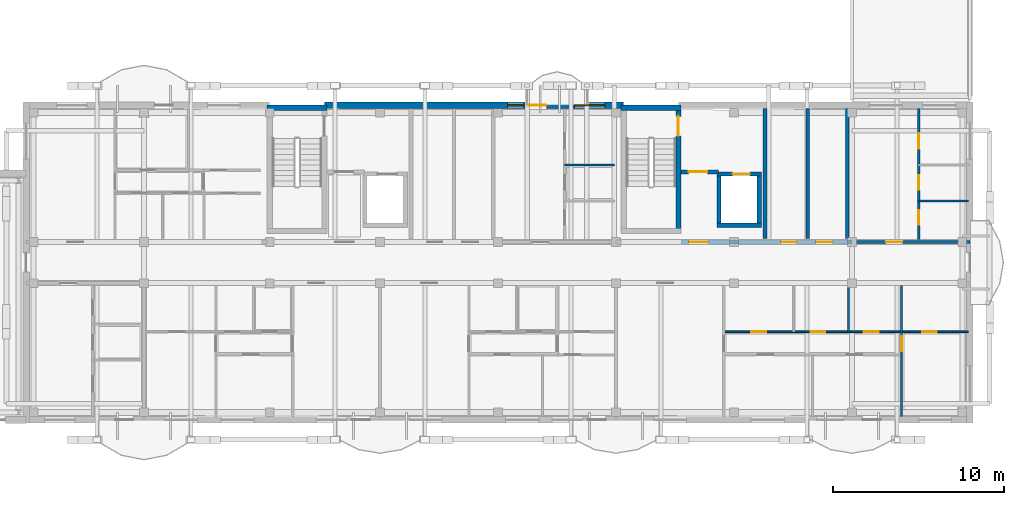
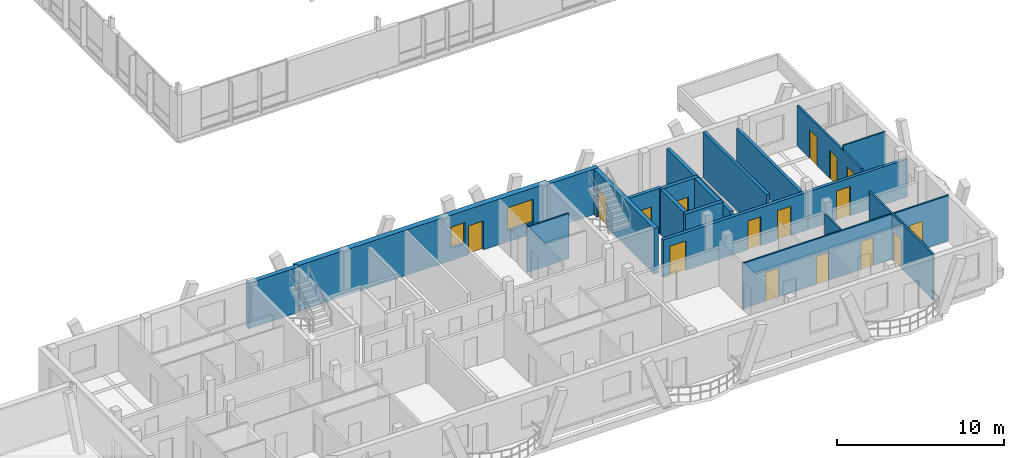
# One storey, part 161 of 189: 20 walls, 16 doors, 2 windows, 18 openings.
"""IFC4 building model written with IfcOpenShell, lengths in metres."""

from ifc_helpers import new_model, si_unit, direction, frame, frame_2d, origin, origin_with_axes, place, context, subcontext, project, spatial, rectangle, extrude, material, layer, layer_set, type_object, element, fill, save


model = new_model("IFC4")

# Units and contexts
model_context = context("Model", 3, precision=1e-05, world=origin(), true_north=direction((0.0, 1.0)))
body_context = subcontext(model_context, "Body", "Model", "MODEL_VIEW")
ifc_project = project(units=[si_unit("LENGTHUNIT", "METRE"), si_unit("AREAUNIT", "SQUARE_METRE"), si_unit("VOLUMEUNIT", "CUBIC_METRE"), si_unit("PLANEANGLEUNIT", "RADIAN"), si_unit("MASSUNIT", "GRAM", prefix="KILO")], contexts=[model_context])

# Site, building, storey
site_placement = place(None, origin())
site = spatial("IfcSite", under=ifc_project, at=site_placement, CompositionType="ELEMENT")
building_placement = place(site_placement, origin())
building = spatial("IfcBuilding", under=site, at=building_placement, Name="Zavelmont Quarter", CompositionType="ELEMENT")
storey_placement = place(building_placement, frame((0.0, 0.0, 4.39990234375)))
storey = spatial("IfcBuildingStorey", under=building, at=storey_placement, Name="L01", CompositionType="ELEMENT", Elevation=4.39990234375)

# Wall, openings, door, windows
ifc_material_1 = material(Name="Natural Belgian limestone", Category="masonry")
ifc_layer_1 = layer(ifc_material_1, 0.3798828125)
ifc_layer_set_1 = layer_set([ifc_layer_1], Name="Natural Belgian limestone")
wall_type_1 = type_object("IfcWallType", Name="EW01", PredefinedType="STANDARD", material=ifc_layer_set_1)
wall_1_placement = place(storey_placement, frame((130.25, 18.39990234375, 0.0), z_axis=(0.0, 0.0, 1.0), x_axis=(1.0, 0.0, 0.0)))
wall_1 = element("IfcWall", 1, at=wall_1_placement, inside=storey, type_object=wall_type_1, Name="L01 exterior limestone wall EW01", PredefinedType="STANDARD", context=body_context, shape_type="SweptSolid", body=[
    extrude(rectangle(XDim=17.5, YDim=0.3798828125, at=frame_2d((8.75, 0.0))), origin(), (0.0, 0.0, 1.0), 3.330078125),
])
opening_1_placement = place(wall_1_placement, frame((11.922607421875, 0.0, 0.0)))
opening_1 = element("IfcOpeningElement", 2, at=opening_1_placement, cuts=wall_1, Name="Opening DR04A", PredefinedType="OPENING", context=body_context, shape_type="SweptSolid", body=[
    extrude(rectangle(XDim=1.050048828125, YDim=2.1201171875, at=frame_2d((0.52490234375, 1.06005859375))), frame((0.0, 0.201904296875, 0.0), z_axis=(0.0, -1.0, 0.0), x_axis=(1.0, 0.0, 0.0)), (0.0, 0.0, 1.0), 0.40380859375),
])
opening_2_placement = place(wall_1_placement, frame((10.719970703125, 0.0, 0.89990234375)))
opening_2 = element("IfcOpeningElement", 3, at=opening_2_placement, cuts=wall_1, Name="Opening WN04", PredefinedType="OPENING", context=body_context, shape_type="SweptSolid", body=[
    extrude(rectangle(XDim=0.949951171875, YDim=1.550048828125, at=frame_2d((0.47509765625, 0.77490234375))), frame((0.0, 0.201904296875, 0.0), z_axis=(0.0, -1.0, 0.0), x_axis=(1.0, 0.0, 0.0)), (0.0, 0.0, 1.0), 0.40380859375),
])
opening_3_placement = place(wall_1_placement, frame((14.6201171875, 0.0, 0.800048828125)))
opening_3 = element("IfcOpeningElement", 4, at=opening_3_placement, cuts=wall_1, Name="Opening WN02", PredefinedType="OPENING", context=body_context, shape_type="SweptSolid", body=[
    extrude(rectangle(XDim=1.800048828125, YDim=1.699951171875, at=frame_2d((0.89990234375, 0.85009765625))), frame((0.0, 0.201904296875, 0.0), z_axis=(0.0, -1.0, 0.0), x_axis=(1.0, 0.0, 0.0)), (0.0, 0.0, 1.0), 0.40380859375),
])
ifc_material_2 = material(Name="Thermally broken aluminium and double safety glass", Category="aluminium")
door_type_1 = type_object("IfcDoorType", Name="DR04A", OperationType="NOTDEFINED", PredefinedType="DOOR", material=ifc_material_2)
door_1_placement = place(opening_1_placement, frame((1.050048828125, 0.0, 0.0), z_axis=(0.0, 0.0, 1.0), x_axis=(-1.0, 0.0, 0.0)))
door_1 = element("IfcDoor", 5, at=door_1_placement, inside=storey, type_object=door_type_1, Name="Block D L01 glazed balcony door", OperationType="SINGLE_SWING_LEFT", OverallHeight=2.1201171875, OverallWidth=1.050048828125, PredefinedType="DOOR", context=body_context, shape_type="SweptSolid", body=[
    extrude(rectangle(XDim=1.050048828125, YDim=2.1201171875, at=frame_2d((0.52490234375, 1.06005859375))), frame((0.0, 0.02490234375, 0.0), z_axis=(0.0, -1.0, 0.0), x_axis=(1.0, 0.0, 0.0)), (0.0, 0.0, 1.0), 0.050048828125),
])
fill(opening_1, door_1)
ifc_material_3 = material(Name="Double low-E insulated glazing in thermally broken aluminium frame", Category="aluminium")
window_type_1 = type_object("IfcWindowType", Name="WN02", PartitioningType="SINGLE_PANEL", PredefinedType="WINDOW", material=ifc_material_3)
window_1_placement = place(opening_3_placement, origin_with_axes())
window_1 = element("IfcWindow", 6, at=window_1_placement, inside=storey, type_object=window_type_1, Name="L01 window WN02", OverallHeight=1.699951171875, OverallWidth=1.800048828125, PartitioningType="SINGLE_PANEL", PredefinedType="WINDOW", context=body_context, shape_type="SweptSolid", body=[
    extrude(rectangle(XDim=1.800048828125, YDim=1.699951171875, at=frame_2d((0.89990234375, 0.85009765625))), frame((0.0, 0.030029296875, 0.0), z_axis=(0.0, -1.0, 0.0), x_axis=(1.0, 0.0, 0.0)), (0.0, 0.0, 1.0), 0.06005859375),
])
fill(opening_3, window_1)
window_type_2 = type_object("IfcWindowType", Name="WN04", PartitioningType="SINGLE_PANEL", PredefinedType="WINDOW", material=ifc_material_3)
window_2_placement = place(opening_2_placement, origin_with_axes())
window_2 = element("IfcWindow", 7, at=window_2_placement, inside=storey, type_object=window_type_2, Name="L01 window WN04", OverallHeight=1.550048828125, OverallWidth=0.949951171875, PartitioningType="SINGLE_PANEL", PredefinedType="WINDOW", context=body_context, shape_type="SweptSolid", body=[
    extrude(rectangle(XDim=0.949951171875, YDim=1.550048828125, at=frame_2d((0.47509765625, 0.77490234375))), frame((0.0, 0.030029296875, 0.0), z_axis=(0.0, -1.0, 0.0), x_axis=(1.0, 0.0, 0.0)), (0.0, 0.0, 1.0), 0.06005859375),
])
fill(opening_2, window_2)

# Walls
ifc_material_4 = material(Name="Calcium-silicate blockwork and acoustic plaster", Category="masonry")
ifc_layer_2 = layer(ifc_material_4, 0.199951171875)
ifc_layer_set_2 = layer_set([ifc_layer_2], Name="Calcium-silicate blockwork and acoustic plaster")
wall_type_2 = type_object("IfcWallType", Name="IW01", PredefinedType="PARTITIONING", material=ifc_layer_set_2)
wall_2_placement = place(storey_placement, frame((158.52490234375, 10.60009765625, 0.0), z_axis=(0.0, 0.0, 1.0), x_axis=(0.0, 1.0, 0.0)))
element("IfcWall", 8, at=wall_2_placement, inside=storey, type_object=wall_type_2, Name="L01 Service riser divider wall IW01", PredefinedType="PARTITIONING", context=body_context, shape_type="SweptSolid", body=[
    extrude(rectangle(XDim=7.599853515625, YDim=0.199951171875, at=frame_2d((3.7998046875, 0.0))), origin(), (0.0, 0.0, 1.0), 3.330078125),
])
wall_3_placement = place(storey_placement, frame((160.820068359375, 10.60009765625, 0.0), z_axis=(0.0, 0.0, 1.0), x_axis=(0.0, 1.0, 0.0)))
element("IfcWall", 9, at=wall_3_placement, inside=storey, type_object=wall_type_2, Name="L01 Core service end wall IW01", PredefinedType="PARTITIONING", context=body_context, shape_type="SweptSolid", body=[
    extrude(rectangle(XDim=7.599853515625, YDim=0.199951171875, at=frame_2d((3.7998046875, 0.0))), origin(), (0.0, 0.0, 1.0), 2.77001953125),
])

# Wall, opening, door
wall_4_placement = place(storey_placement, frame((161.10009765625, 10.39990234375, 0.0), z_axis=(0.0, 0.0, 1.0), x_axis=(1.0, 0.0, 0.0)))
wall_4 = element("IfcWall", 10, at=wall_4_placement, inside=storey, type_object=wall_type_2, Name="L01 Corridor compartment wall IW01", PredefinedType="PARTITIONING", context=body_context, shape_type="SweptSolid", body=[
    extrude(rectangle(XDim=6.89990234375, YDim=0.199951171875, at=frame_2d((3.449951171875, 0.0))), origin(), (0.0, 0.0, 1.0), 2.77001953125),
])
opening_4_placement = place(wall_4_placement, frame((2.0, 0.0, 0.0)))
opening_4 = element("IfcOpeningElement", 11, at=opening_4_placement, cuts=wall_4, Name="Opening DR02", PredefinedType="OPENING", context=body_context, shape_type="SweptSolid", body=[
    extrude(rectangle(XDim=0.949951171875, YDim=2.14990234375, at=frame_2d((0.47509765625, 1.074951171875))), frame((0.0, 0.11181640625, 0.0), z_axis=(0.0, -1.0, 0.0), x_axis=(1.0, 0.0, 0.0)), (0.0, 0.0, 1.0), 0.223876953125),
])
ifc_material_5 = material(Name="Solid-core oak fire leaf in steel frame", Category="steel")
door_type_2 = type_object("IfcDoorType", Name="DR02", OperationType="NOTDEFINED", PredefinedType="DOOR", material=ifc_material_5)
door_2_placement = place(opening_4_placement, origin_with_axes())
door_2 = element("IfcDoor", 12, at=door_2_placement, inside=storey, type_object=door_type_2, Name="L01 door DR02", OperationType="SINGLE_SWING_LEFT", OverallHeight=2.14990234375, OverallWidth=0.949951171875, PredefinedType="DOOR", context=body_context, shape_type="SweptSolid", body=[
    extrude(rectangle(XDim=0.949951171875, YDim=2.14990234375, at=frame_2d((0.47509765625, 1.074951171875))), frame((0.0, 0.02490234375, 0.0), z_axis=(0.0, -1.0, 0.0), x_axis=(1.0, 0.0, 0.0)), (0.0, 0.0, 1.0), 0.050048828125),
])
fill(opening_4, door_2)

# Wall
ifc_material_6 = material(Name="Reinforced masonry fire compartment wall", Category="masonry")
ifc_layer_3 = layer(ifc_material_6, 0.22509765625)
ifc_layer_set_3 = layer_set([ifc_layer_3], Name="Reinforced masonry fire compartment wall")
wall_type_3 = type_object("IfcWallType", Name="IW02", PredefinedType="PARTITIONING", material=ifc_layer_set_3)
wall_5_placement = place(storey_placement, frame((156.010009765625, 10.60009765625, 0.0), z_axis=(0.0, 0.0, 1.0), x_axis=(0.0, 1.0, 0.0)))
element("IfcWall", 13, at=wall_5_placement, inside=storey, type_object=wall_type_3, Name="L01 Firefighting lobby enclosure wall IW02", PredefinedType="PARTITIONING", context=body_context, shape_type="SweptSolid", body=[
    extrude(rectangle(XDim=7.599853515625, YDim=0.22509765625, at=frame_2d((3.7998046875, 0.0))), origin(), (0.0, 0.0, 1.0), 2.989990234375),
])

# Wall, opening, door
wall_6_placement = place(storey_placement, frame((151.10009765625, 14.5, 0.0), z_axis=(0.0, 0.0, 1.0), x_axis=(1.0, 0.0, 0.0)))
wall_6 = element("IfcWall", 14, at=wall_6_placement, inside=storey, type_object=wall_type_3, Name="L01 Firefighting lobby threshold wall IW02", PredefinedType="PARTITIONING", context=body_context, shape_type="SweptSolid", body=[
    extrude(rectangle(XDim=2.199951171875, YDim=0.22509765625, at=frame_2d((1.10009765625, 0.0))), origin(), (0.0, 0.0, 1.0), 3.330078125),
])
opening_5_placement = place(wall_6_placement, frame((0.449951171875, 0.0, 0.0)))
opening_5 = element("IfcOpeningElement", 15, at=opening_5_placement, cuts=wall_6, Name="Opening DR10", PredefinedType="OPENING", context=body_context, shape_type="SweptSolid", body=[
    extrude(rectangle(XDim=1.10009765625, YDim=2.14990234375, at=frame_2d((0.550048828125, 1.074951171875))), frame((0.0, 0.12451171875, 0.0), z_axis=(0.0, -1.0, 0.0), x_axis=(1.0, 0.0, 0.0)), (0.0, 0.0, 1.0), 0.2490234375),
])
ifc_material_7 = material(Name="Painted steel lobby fire door", Category="steel")
door_type_3 = type_object("IfcDoorType", Name="DR10", OperationType="NOTDEFINED", PredefinedType="DOOR", material=ifc_material_7)
door_3_placement = place(opening_5_placement, origin_with_axes())
door_3 = element("IfcDoor", 16, at=door_3_placement, inside=storey, type_object=door_type_3, Name="Firefighting lobby fire door", OperationType="SINGLE_SWING_RIGHT", OverallHeight=2.14990234375, OverallWidth=1.10009765625, PredefinedType="DOOR", context=body_context, shape_type="SweptSolid", body=[
    extrude(rectangle(XDim=1.10009765625, YDim=2.14990234375, at=frame_2d((0.550048828125, 1.074951171875))), frame((0.0, 0.02490234375, 0.0), z_axis=(0.0, -1.0, 0.0), x_axis=(1.0, 0.0, 0.0)), (0.0, 0.0, 1.0), 0.050048828125),
])
fill(opening_5, door_3)

# Wall, openings, doors
wall_7_placement = place(storey_placement, frame((151.10009765625, 10.39990234375, 0.0), z_axis=(0.0, 0.0, 1.0), x_axis=(1.0, 0.0, 0.0)))
wall_7 = element("IfcWall", 17, at=wall_7_placement, inside=storey, type_object=wall_type_3, Name="L01 Core corridor fire wall IW02", PredefinedType="PARTITIONING", context=body_context, shape_type="SweptSolid", body=[
    extrude(rectangle(XDim=10.0, YDim=0.22509765625, at=frame_2d((5.0, 0.0))), origin(), (0.0, 0.0, 1.0), 2.77001953125),
])
opening_6_placement = place(wall_7_placement, frame((0.47509765625, 0.0, 0.0)))
opening_6 = element("IfcOpeningElement", 18, at=opening_6_placement, cuts=wall_7, Name="Opening DR10", PredefinedType="OPENING", context=body_context, shape_type="SweptSolid", body=[
    extrude(rectangle(XDim=1.10009765625, YDim=2.14990234375, at=frame_2d((0.550048828125, 1.074951171875))), frame((0.0, 0.12451171875, 0.0), z_axis=(0.0, -1.0, 0.0), x_axis=(1.0, 0.0, 0.0)), (0.0, 0.0, 1.0), 0.2490234375),
])
opening_7_placement = place(wall_7_placement, frame((5.85009765625, 0.0, 0.0)))
opening_7 = element("IfcOpeningElement", 19, at=opening_7_placement, cuts=wall_7, Name="Opening DR11", PredefinedType="OPENING", context=body_context, shape_type="SweptSolid", body=[
    extrude(rectangle(XDim=0.89990234375, YDim=2.10009765625, at=frame_2d((0.449951171875, 1.050048828125))), frame((0.0, 0.12451171875, 0.0), z_axis=(0.0, -1.0, 0.0), x_axis=(1.0, 0.0, 0.0)), (0.0, 0.0, 1.0), 0.2490234375),
])
opening_8_placement = place(wall_7_placement, frame((7.89990234375, 0.0, 0.0)))
opening_8 = element("IfcOpeningElement", 20, at=opening_8_placement, cuts=wall_7, Name="Opening DR02", PredefinedType="OPENING", context=body_context, shape_type="SweptSolid", body=[
    extrude(rectangle(XDim=0.949951171875, YDim=2.14990234375, at=frame_2d((0.47509765625, 1.074951171875))), frame((0.0, 0.12451171875, 0.0), z_axis=(0.0, -1.0, 0.0), x_axis=(1.0, 0.0, 0.0)), (0.0, 0.0, 1.0), 0.2490234375),
])
door_4_placement = place(opening_8_placement, frame((0.949951171875, 0.0, 0.0), z_axis=(0.0, 0.0, 1.0), x_axis=(-1.0, 0.0, 0.0)))
door_4 = element("IfcDoor", 21, at=door_4_placement, inside=storey, type_object=door_type_2, Name="Auxiliary store corridor door", OperationType="SINGLE_SWING_RIGHT", OverallHeight=2.14990234375, OverallWidth=0.949951171875, PredefinedType="DOOR", context=body_context, shape_type="SweptSolid", body=[
    extrude(rectangle(XDim=0.949951171875, YDim=2.14990234375, at=frame_2d((0.47509765625, 1.074951171875))), frame((0.0, 0.02490234375, 0.0), z_axis=(0.0, -1.0, 0.0), x_axis=(1.0, 0.0, 0.0)), (0.0, 0.0, 1.0), 0.050048828125),
])
fill(opening_8, door_4)
door_5_placement = place(opening_6_placement, origin_with_axes())
door_5 = element("IfcDoor", 22, at=door_5_placement, inside=storey, type_object=door_type_3, Name="Core vestibule fire door", OperationType="SINGLE_SWING_LEFT", OverallHeight=2.14990234375, OverallWidth=1.10009765625, PredefinedType="DOOR", context=body_context, shape_type="SweptSolid", body=[
    extrude(rectangle(XDim=1.10009765625, YDim=2.14990234375, at=frame_2d((0.550048828125, 1.074951171875))), frame((0.0, 0.02490234375, 0.0), z_axis=(0.0, -1.0, 0.0), x_axis=(1.0, 0.0, 0.0)), (0.0, 0.0, 1.0), 0.050048828125),
])
fill(opening_6, door_5)
ifc_material_8 = material(Name="Painted steel service-riser fire door", Category="steel")
door_type_4 = type_object("IfcDoorType", Name="DR11", OperationType="NOTDEFINED", PredefinedType="DOOR", material=ifc_material_8)
door_6_placement = place(opening_7_placement, frame((0.89990234375, 0.0, 0.0), z_axis=(0.0, 0.0, 1.0), x_axis=(-1.0, 0.0, 0.0)))
door_6 = element("IfcDoor", 23, at=door_6_placement, inside=storey, type_object=door_type_4, Name="Service riser fire door", OperationType="SINGLE_SWING_LEFT", OverallHeight=2.10009765625, OverallWidth=0.89990234375, PredefinedType="DOOR", context=body_context, shape_type="SweptSolid", body=[
    extrude(rectangle(XDim=0.89990234375, YDim=2.10009765625, at=frame_2d((0.449951171875, 1.050048828125))), frame((0.0, 0.02490234375, 0.0), z_axis=(0.0, -1.0, 0.0), x_axis=(1.0, 0.0, 0.0)), (0.0, 0.0, 1.0), 0.050048828125),
])
fill(opening_7, door_6)

# Wall, opening, door
ifc_material_9 = material(Name="Double gypsum board on acoustic steel stud", Category="steel")
ifc_layer_4 = layer(ifc_material_9, 0.125)
ifc_layer_set_4 = layer_set([ifc_layer_4], Name="Double gypsum board on acoustic steel stud")
wall_type_4 = type_object("IfcWallType", Name="IW03", PredefinedType="PARTITIONING", material=ifc_layer_set_4)
wall_8_placement = place(storey_placement, frame((164.0, 7.85009765625, 0.0), z_axis=(0.0, 0.0, 1.0), x_axis=(0.0, -1.0, 0.0)))
wall_8 = element("IfcWall", 24, at=wall_8_placement, inside=storey, type_object=wall_type_4, Name="L01 Partition IW03", PredefinedType="PARTITIONING", context=body_context, shape_type="SweptSolid", body=[
    extrude(rectangle(XDim=7.650146484375, YDim=0.125, at=frame_2d((3.8251953125, 0.0))), origin(), (0.0, 0.0, 1.0), 3.330078125),
])
opening_9_placement = place(wall_8_placement, frame((2.949951171875, 0.0, 0.0)))
opening_9 = element("IfcOpeningElement", 25, at=opening_9_placement, cuts=wall_8, Name="Opening DR05", PredefinedType="OPENING", context=body_context, shape_type="SweptSolid", body=[
    extrude(rectangle(XDim=0.89990234375, YDim=2.10009765625, at=frame_2d((0.449951171875, 1.050048828125))), frame((0.0, 0.074462890625, 0.0), z_axis=(0.0, -1.0, 0.0), x_axis=(1.0, 0.0, 0.0)), (0.0, 0.0, 1.0), 0.14892578125),
])
ifc_material_10 = material(Name="Engineered oak flush interior door")
door_type_5 = type_object("IfcDoorType", Name="DR05", OperationType="NOTDEFINED", PredefinedType="DOOR", material=ifc_material_10)
door_7_placement = place(opening_9_placement, frame((0.89990234375, 0.0, 0.0), z_axis=(0.0, 0.0, 1.0), x_axis=(-1.0, 0.0, 0.0)))
door_7 = element("IfcDoor", 26, at=door_7_placement, inside=storey, type_object=door_type_5, Name="L01 door DR05", OperationType="SINGLE_SWING_RIGHT", OverallHeight=2.10009765625, OverallWidth=0.89990234375, PredefinedType="DOOR", context=body_context, shape_type="SweptSolid", body=[
    extrude(rectangle(XDim=0.89990234375, YDim=2.10009765625, at=frame_2d((0.449951171875, 1.050048828125))), frame((0.0, 0.02490234375, 0.0), z_axis=(0.0, -1.0, 0.0), x_axis=(1.0, 0.0, 0.0)), (0.0, 0.0, 1.0), 0.050048828125),
])
fill(opening_9, door_7)

# Wall, openings, doors
wall_9_placement = place(storey_placement, frame((165.0, 10.550048828125, 0.0), z_axis=(0.0, 0.0, 1.0), x_axis=(0.0, 1.0, 0.0)))
wall_9 = element("IfcWall", 27, at=wall_9_placement, inside=storey, type_object=wall_type_4, Name="L01 Partition IW03", PredefinedType="PARTITIONING", context=body_context, shape_type="SweptSolid", body=[
    extrude(rectangle(XDim=7.64990234375, YDim=0.125, at=frame_2d((3.824951171875, 0.0))), origin(), (0.0, 0.0, 1.0), 2.989990234375),
])
opening_10_placement = place(wall_9_placement, frame((0.85009765625, 0.0, 0.0)))
opening_10 = element("IfcOpeningElement", 28, at=opening_10_placement, cuts=wall_9, Name="Opening DR16", PredefinedType="OPENING", context=body_context, shape_type="SweptSolid", body=[
    extrude(rectangle(XDim=0.85009765625, YDim=2.10009765625, at=frame_2d((0.425048828125, 1.050048828125))), frame((0.0, 0.074462890625, 0.0), z_axis=(0.0, -1.0, 0.0), x_axis=(1.0, 0.0, 0.0)), (0.0, 0.0, 1.0), 0.14892578125),
])
opening_11_placement = place(wall_9_placement, frame((2.89990234375, 0.0, 0.0)))
opening_11 = element("IfcOpeningElement", 29, at=opening_11_placement, cuts=wall_9, Name="Opening DR06", PredefinedType="OPENING", context=body_context, shape_type="SweptSolid", body=[
    extrude(rectangle(XDim=0.85009765625, YDim=2.050048828125, at=frame_2d((0.425048828125, 1.02490234375))), frame((0.0, 0.074462890625, 0.0), z_axis=(0.0, -1.0, 0.0), x_axis=(1.0, 0.0, 0.0)), (0.0, 0.0, 1.0), 0.14892578125),
])
opening_12_placement = place(wall_9_placement, frame((5.300048828125, 0.0, 0.0)))
opening_12 = element("IfcOpeningElement", 30, at=opening_12_placement, cuts=wall_9, Name="Opening DR05", PredefinedType="OPENING", context=body_context, shape_type="SweptSolid", body=[
    extrude(rectangle(XDim=0.89990234375, YDim=2.10009765625, at=frame_2d((0.449951171875, 1.050048828125))), frame((0.0, 0.074462890625, 0.0), z_axis=(0.0, -1.0, 0.0), x_axis=(1.0, 0.0, 0.0)), (0.0, 0.0, 1.0), 0.14892578125),
])
door_8_placement = place(opening_12_placement, frame((0.89990234375, 0.0, 0.0), z_axis=(0.0, 0.0, 1.0), x_axis=(-1.0, 0.0, 0.0)))
door_8 = element("IfcDoor", 31, at=door_8_placement, inside=storey, type_object=door_type_5, Name="L01 door DR05", OperationType="SINGLE_SWING_LEFT", OverallHeight=2.10009765625, OverallWidth=0.89990234375, PredefinedType="DOOR", context=body_context, shape_type="SweptSolid", body=[
    extrude(rectangle(XDim=0.89990234375, YDim=2.10009765625, at=frame_2d((0.449951171875, 1.050048828125))), frame((0.0, 0.02490234375, 0.0), z_axis=(0.0, -1.0, 0.0), x_axis=(1.0, 0.0, 0.0)), (0.0, 0.0, 1.0), 0.050048828125),
])
fill(opening_12, door_8)
ifc_material_11 = material(Name="Moisture-resistant painted wet-room door")
door_type_6 = type_object("IfcDoorType", Name="DR06", OperationType="NOTDEFINED", PredefinedType="DOOR", material=ifc_material_11)
door_9_placement = place(opening_11_placement, origin_with_axes())
door_9 = element("IfcDoor", 32, at=door_9_placement, inside=storey, type_object=door_type_6, Name="L01 door DR06", OperationType="SINGLE_SWING_RIGHT", OverallHeight=2.050048828125, OverallWidth=0.85009765625, PredefinedType="DOOR", context=body_context, shape_type="SweptSolid", body=[
    extrude(rectangle(XDim=0.85009765625, YDim=2.050048828125, at=frame_2d((0.425048828125, 1.02490234375))), frame((0.0, 0.02490234375, 0.0), z_axis=(0.0, -1.0, 0.0), x_axis=(1.0, 0.0, 0.0)), (0.0, 0.0, 1.0), 0.050048828125),
])
fill(opening_11, door_9)
door_type_7 = type_object("IfcDoorType", Name="DR16", OperationType="NOTDEFINED", PredefinedType="DOOR", material=ifc_material_10)
door_10_placement = place(opening_10_placement, frame((0.85009765625, 0.0, 0.0), z_axis=(0.0, 0.0, 1.0), x_axis=(-1.0, 0.0, 0.0)))
door_10 = element("IfcDoor", 33, at=door_10_placement, inside=storey, type_object=door_type_7, Name="L01 door DR16", OperationType="SINGLE_SWING_LEFT", OverallHeight=2.10009765625, OverallWidth=0.85009765625, PredefinedType="DOOR", context=body_context, shape_type="SweptSolid", body=[
    extrude(rectangle(XDim=0.85009765625, YDim=2.10009765625, at=frame_2d((0.425048828125, 1.050048828125))), frame((0.0, 0.02490234375, 0.0), z_axis=(0.0, -1.0, 0.0), x_axis=(1.0, 0.0, 0.0)), (0.0, 0.0, 1.0), 0.050048828125),
])
fill(opening_10, door_10)

# Wall
ifc_material_12 = material(Name="Moisture-resistant gypsum board on steel stud", Category="steel")
ifc_layer_5 = layer(ifc_material_12, 0.10009765625)
ifc_layer_set_5 = layer_set([ifc_layer_5], Name="Moisture-resistant gypsum board on steel stud")
wall_type_5 = type_object("IfcWallType", Name="IW04", PredefinedType="PARTITIONING", material=ifc_layer_set_5)
wall_10_placement = place(storey_placement, frame((160.89990234375, 7.85009765625, 0.0), z_axis=(0.0, 0.0, 1.0), x_axis=(0.0, -1.0, 0.0)))
element("IfcWall", 34, at=wall_10_placement, inside=storey, type_object=wall_type_5, Name="L01 Partition IW04", PredefinedType="PARTITIONING", context=body_context, shape_type="SweptSolid", body=[
    extrude(rectangle(XDim=2.7001953125, YDim=0.10009765625, at=frame_2d((1.35009765625, 0.0))), origin(), (0.0, 0.0, 1.0), 2.77001953125),
])

# Wall, openings, doors
wall_11_placement = place(storey_placement, frame((153.60009765625, 5.14990234375, 0.0), z_axis=(0.0, 0.0, 1.0), x_axis=(1.0, 0.0, 0.0)))
wall_11 = element("IfcWall", 35, at=wall_11_placement, inside=storey, type_object=wall_type_5, Name="L01 Partition IW04", PredefinedType="PARTITIONING", context=body_context, shape_type="SweptSolid", body=[
    extrude(rectangle(XDim=14.2998046875, YDim=0.10009765625, at=frame_2d((7.14990234375, 0.0))), origin(), (0.0, 0.0, 1.0), 3.330078125),
])
opening_13_placement = place(wall_11_placement, frame((1.60009765625, 0.0, 0.0)))
opening_13 = element("IfcOpeningElement", 36, at=opening_13_placement, cuts=wall_11, Name="Opening DR05", PredefinedType="OPENING", context=body_context, shape_type="SweptSolid", body=[
    extrude(rectangle(XDim=0.89990234375, YDim=2.10009765625, at=frame_2d((0.449951171875, 1.050048828125))), frame((0.0, 0.06201171875, 0.0), z_axis=(0.0, -1.0, 0.0), x_axis=(1.0, 0.0, 0.0)), (0.0, 0.0, 1.0), 0.1240234375),
])
opening_14_placement = place(wall_11_placement, frame((5.10009765625, 0.0, 0.0)))
opening_14 = element("IfcOpeningElement", 37, at=opening_14_placement, cuts=wall_11, Name="Opening DR06", PredefinedType="OPENING", context=body_context, shape_type="SweptSolid", body=[
    extrude(rectangle(XDim=0.85009765625, YDim=2.050048828125, at=frame_2d((0.425048828125, 1.02490234375))), frame((0.0, 0.06201171875, 0.0), z_axis=(0.0, -1.0, 0.0), x_axis=(1.0, 0.0, 0.0)), (0.0, 0.0, 1.0), 0.1240234375),
])
opening_15_placement = place(wall_11_placement, frame((8.199951171875, 0.0, 0.0)))
opening_15 = element("IfcOpeningElement", 38, at=opening_15_placement, cuts=wall_11, Name="Opening DR06", PredefinedType="OPENING", context=body_context, shape_type="SweptSolid", body=[
    extrude(rectangle(XDim=0.85009765625, YDim=2.050048828125, at=frame_2d((0.425048828125, 1.02490234375))), frame((0.0, 0.06201171875, 0.0), z_axis=(0.0, -1.0, 0.0), x_axis=(1.0, 0.0, 0.0)), (0.0, 0.0, 1.0), 0.1240234375),
])
opening_16_placement = place(wall_11_placement, frame((11.60009765625, 0.0, 0.0)))
opening_16 = element("IfcOpeningElement", 39, at=opening_16_placement, cuts=wall_11, Name="Opening DR06", PredefinedType="OPENING", context=body_context, shape_type="SweptSolid", body=[
    extrude(rectangle(XDim=0.85009765625, YDim=2.050048828125, at=frame_2d((0.425048828125, 1.02490234375))), frame((0.0, 0.06201171875, 0.0), z_axis=(0.0, -1.0, 0.0), x_axis=(1.0, 0.0, 0.0)), (0.0, 0.0, 1.0), 0.1240234375),
])
door_11_placement = place(opening_13_placement, origin_with_axes())
door_11 = element("IfcDoor", 40, at=door_11_placement, inside=storey, type_object=door_type_5, Name="L01 door DR05", OperationType="SINGLE_SWING_LEFT", OverallHeight=2.10009765625, OverallWidth=0.89990234375, PredefinedType="DOOR", context=body_context, shape_type="SweptSolid", body=[
    extrude(rectangle(XDim=0.89990234375, YDim=2.10009765625, at=frame_2d((0.449951171875, 1.050048828125))), frame((0.0, 0.02490234375, 0.0), z_axis=(0.0, -1.0, 0.0), x_axis=(1.0, 0.0, 0.0)), (0.0, 0.0, 1.0), 0.050048828125),
])
fill(opening_13, door_11)
door_12_placement = place(opening_14_placement, frame((0.85009765625, 0.0, 0.0), z_axis=(0.0, 0.0, 1.0), x_axis=(-1.0, 0.0, 0.0)))
door_12 = element("IfcDoor", 41, at=door_12_placement, inside=storey, type_object=door_type_6, Name="L01 door DR06", OperationType="SINGLE_SWING_RIGHT", OverallHeight=2.050048828125, OverallWidth=0.85009765625, PredefinedType="DOOR", context=body_context, shape_type="SweptSolid", body=[
    extrude(rectangle(XDim=0.85009765625, YDim=2.050048828125, at=frame_2d((0.425048828125, 1.02490234375))), frame((0.0, 0.02490234375, 0.0), z_axis=(0.0, -1.0, 0.0), x_axis=(1.0, 0.0, 0.0)), (0.0, 0.0, 1.0), 0.050048828125),
])
fill(opening_14, door_12)
door_13_placement = place(opening_15_placement, origin_with_axes())
door_13 = element("IfcDoor", 42, at=door_13_placement, inside=storey, type_object=door_type_6, Name="L01 door DR06", OperationType="SINGLE_SWING_LEFT", OverallHeight=2.050048828125, OverallWidth=0.85009765625, PredefinedType="DOOR", context=body_context, shape_type="SweptSolid", body=[
    extrude(rectangle(XDim=0.85009765625, YDim=2.050048828125, at=frame_2d((0.425048828125, 1.02490234375))), frame((0.0, 0.02490234375, 0.0), z_axis=(0.0, -1.0, 0.0), x_axis=(1.0, 0.0, 0.0)), (0.0, 0.0, 1.0), 0.050048828125),
])
fill(opening_15, door_13)
door_14_placement = place(opening_16_placement, frame((0.85009765625, 0.0, 0.0), z_axis=(0.0, 0.0, 1.0), x_axis=(-1.0, 0.0, 0.0)))
door_14 = element("IfcDoor", 43, at=door_14_placement, inside=storey, type_object=door_type_6, Name="L01 door DR06", OperationType="SINGLE_SWING_RIGHT", OverallHeight=2.050048828125, OverallWidth=0.85009765625, PredefinedType="DOOR", context=body_context, shape_type="SweptSolid", body=[
    extrude(rectangle(XDim=0.85009765625, YDim=2.050048828125, at=frame_2d((0.425048828125, 1.02490234375))), frame((0.0, 0.02490234375, 0.0), z_axis=(0.0, -1.0, 0.0), x_axis=(1.0, 0.0, 0.0)), (0.0, 0.0, 1.0), 0.050048828125),
])
fill(opening_16, door_14)

# Walls
for number, where, z_axis, x_axis, name in (
    (44, (144.300048828125, 14.89990234375, 0.0), (0.0, 0.0, 1.0), (1.0, 0.0, 0.0), "L01 Partition IW04"),
    (45, (165.0, 12.800048828125, 0.0), (0.0, 0.0, 1.0), (1.0, 0.0, 0.0), "L01 Partition IW04"),
):
    element("IfcWall", number, at=place(storey_placement, frame(where, z_axis=z_axis, x_axis=x_axis)), inside=storey, type_object=wall_type_5, Name=name, PredefinedType="PARTITIONING", context=body_context, shape_type="SweptSolid", body=[
        extrude(rectangle(XDim=2.89990234375, YDim=0.10009765625, at=frame_2d((1.449951171875, 0.0))), origin(), (0.0, 0.0, 1.0), 3.330078125),
    ])

# Wall, opening, door
ifc_material_13 = material(Name="Concrete C40/50", Category="concrete")
ifc_layer_6 = layer(ifc_material_13, 0.300048828125)
ifc_layer_set_6 = layer_set([ifc_layer_6], Name="Concrete C40/50")
wall_type_6 = type_object("IfcWallType", Name="SW01", PredefinedType="SHEAR", material=ifc_layer_set_6)
wall_12_placement = place(storey_placement, frame((150.949951171875, 10.89990234375, 0.0), z_axis=(0.0, 0.0, 1.0), x_axis=(0.0, 1.0, 0.0)))
wall_12 = element("IfcWall", 46, at=wall_12_placement, inside=storey, type_object=wall_type_6, Name="L01 ST08 lobby shear wall SW01", PredefinedType="SHEAR", context=body_context, shape_type="SweptSolid", body=[
    extrude(rectangle(XDim=7.5, YDim=0.300048828125, at=frame_2d((3.75, 0.0))), origin(), (0.0, 0.0, 1.0), 3.330078125),
])
opening_17_placement = place(wall_12_placement, frame((5.699951171875, 0.0, 0.0)))
opening_17 = element("IfcOpeningElement", 47, at=opening_17_placement, cuts=wall_12, Name="Opening DR09", PredefinedType="OPENING", context=body_context, shape_type="SweptSolid", body=[
    extrude(rectangle(XDim=1.14990234375, YDim=2.14990234375, at=frame_2d((0.574951171875, 1.074951171875))), frame((0.0, 0.162109375, 0.0), z_axis=(0.0, -1.0, 0.0), x_axis=(1.0, 0.0, 0.0)), (0.0, 0.0, 1.0), 0.323974609375),
])
ifc_material_14 = material(Name="Painted steel stair-core fire door", Category="steel")
door_type_8 = type_object("IfcDoorType", Name="DR09", OperationType="NOTDEFINED", PredefinedType="DOOR", material=ifc_material_14)
door_15_placement = place(opening_17_placement, origin_with_axes())
door_15 = element("IfcDoor", 48, at=door_15_placement, inside=storey, type_object=door_type_8, Name="ST08 protected stair door", OperationType="SINGLE_SWING_LEFT", OverallHeight=2.14990234375, OverallWidth=1.14990234375, PredefinedType="DOOR", context=body_context, shape_type="SweptSolid", body=[
    extrude(rectangle(XDim=1.14990234375, YDim=2.14990234375, at=frame_2d((0.574951171875, 1.074951171875))), frame((0.0, 0.02490234375, 0.0), z_axis=(0.0, -1.0, 0.0), x_axis=(1.0, 0.0, 0.0)), (0.0, 0.0, 1.0), 0.050048828125),
])
fill(opening_17, door_15)

ifc_layer_7 = layer(ifc_material_13, 0.25)
ifc_layer_set_7 = layer_set([ifc_layer_7], Name="Concrete C40/50")
wall_type_7 = type_object("IfcWallType", Name="SW02", PredefinedType="SHEAR", material=ifc_layer_set_7)
wall_13_placement = place(storey_placement, frame((153.199951171875, 14.375, 0.0), z_axis=(0.0, 0.0, 1.0), x_axis=(1.0, 0.0, 0.0)))
wall_13 = element("IfcWall", 49, at=wall_13_placement, inside=storey, type_object=wall_type_7, Name="L01 Lift LF08 landing shaft wall SW02", PredefinedType="SHEAR", context=body_context, shape_type="SweptSolid", body=[
    extrude(rectangle(XDim=2.60009765625, YDim=0.25, at=frame_2d((1.300048828125, 0.0))), origin(), (0.0, 0.0, 1.0), 3.330078125),
])
opening_18_placement = place(wall_13_placement, frame((0.925048828125, 0.0, 0.0)))
opening_18 = element("IfcOpeningElement", 50, at=opening_18_placement, cuts=wall_13, Name="Opening LD01", PredefinedType="OPENING", context=body_context, shape_type="SweptSolid", body=[
    extrude(rectangle(XDim=1.0, YDim=2.10009765625, at=frame_2d((0.5, 1.050048828125))), frame((0.0, 0.136962890625, 0.0), z_axis=(0.0, -1.0, 0.0), x_axis=(1.0, 0.0, 0.0)), (0.0, 0.0, 1.0), 0.27392578125),
])
ifc_material_15 = material(Name="Brushed stainless-steel automatic sliding landing door", Category="steel")
door_type_9 = type_object("IfcDoorType", Name="LD01", OperationType="SLIDING_TO_LEFT", PredefinedType="DOOR", material=ifc_material_15)
door_16_placement = place(opening_18_placement, origin_with_axes())
door_16 = element("IfcDoor", 51, at=door_16_placement, inside=storey, type_object=door_type_9, Name="Lift LF08 sliding landing door", OperationType="SLIDING_TO_LEFT", OverallHeight=2.10009765625, OverallWidth=1.0, PredefinedType="DOOR", context=body_context, shape_type="SweptSolid", body=[
    extrude(rectangle(XDim=1.0, YDim=2.10009765625, at=frame_2d((0.5, 1.050048828125))), frame((0.0, 0.02490234375, 0.0), z_axis=(0.0, -1.0, 0.0), x_axis=(1.0, 0.0, 0.0)), (0.0, 0.0, 1.0), 0.050048828125),
])
fill(opening_18, door_16)

# Walls
wall_14_placement = place(storey_placement, frame((153.199951171875, 11.375, 0.0), z_axis=(0.0, 0.0, 1.0), x_axis=(1.0, 0.0, 0.0)))
element("IfcWall", 52, at=wall_14_placement, inside=storey, type_object=wall_type_7, Name="L01 Lift LF08 back shaft wall SW02", PredefinedType="SHEAR", context=body_context, shape_type="SweptSolid", body=[
    extrude(rectangle(XDim=2.60009765625, YDim=0.25, at=frame_2d((1.300048828125, 0.0))), origin(), (0.0, 0.0, 1.0), 3.330078125),
])
for number, where, z_axis, x_axis, name in (
    (53, (153.324951171875, 11.25, 0.0), (0.0, 0.0, 1.0), (0.0, 1.0, 0.0), "L01 Lift LF08 west shaft wall SW02"),
    (54, (155.675048828125, 11.25, 0.0), (0.0, 0.0, 1.0), (0.0, 1.0, 0.0), "L01 Lift LF08 east shaft wall SW02"),
):
    element("IfcWall", number, at=place(storey_placement, frame(where, z_axis=z_axis, x_axis=x_axis)), inside=storey, type_object=wall_type_7, Name=name, PredefinedType="SHEAR", context=body_context, shape_type="SweptSolid", body=[
        extrude(rectangle(XDim=3.25, YDim=0.25, at=frame_2d((1.625, 0.0))), origin(), (0.0, 0.0, 1.0), 3.330078125),
    ])
ifc_layer_8 = layer(ifc_material_13, 0.300048828125)
ifc_layer_set_8 = layer_set([ifc_layer_8], Name="Concrete C40/50")
wall_type_8 = type_object("IfcWallType", Name="SW03", PredefinedType="SHEAR", material=ifc_layer_set_8)
for number, where, z_axis, x_axis, name in (
    (55, (126.89990234375, 18.25, 0.0), (0.0, 0.0, 1.0), (1.0, 0.0, 0.0), "L01 ST07 outer shear wall SW03"),
    (56, (147.60009765625, 18.25, 0.0), (0.0, 0.0, 1.0), (1.0, 0.0, 0.0), "L01 ST08 outer shear wall SW03"),
):
    element("IfcWall", number, at=place(storey_placement, frame(where, z_axis=z_axis, x_axis=x_axis)), inside=storey, type_object=wall_type_8, Name=name, PredefinedType="SHEAR", context=body_context, shape_type="SweptSolid", body=[
        extrude(rectangle(XDim=3.5, YDim=0.300048828125, at=frame_2d((1.75, 0.0))), origin(), (0.0, 0.0, 1.0), 3.330078125),
    ])

save(model, "model.ifc")
